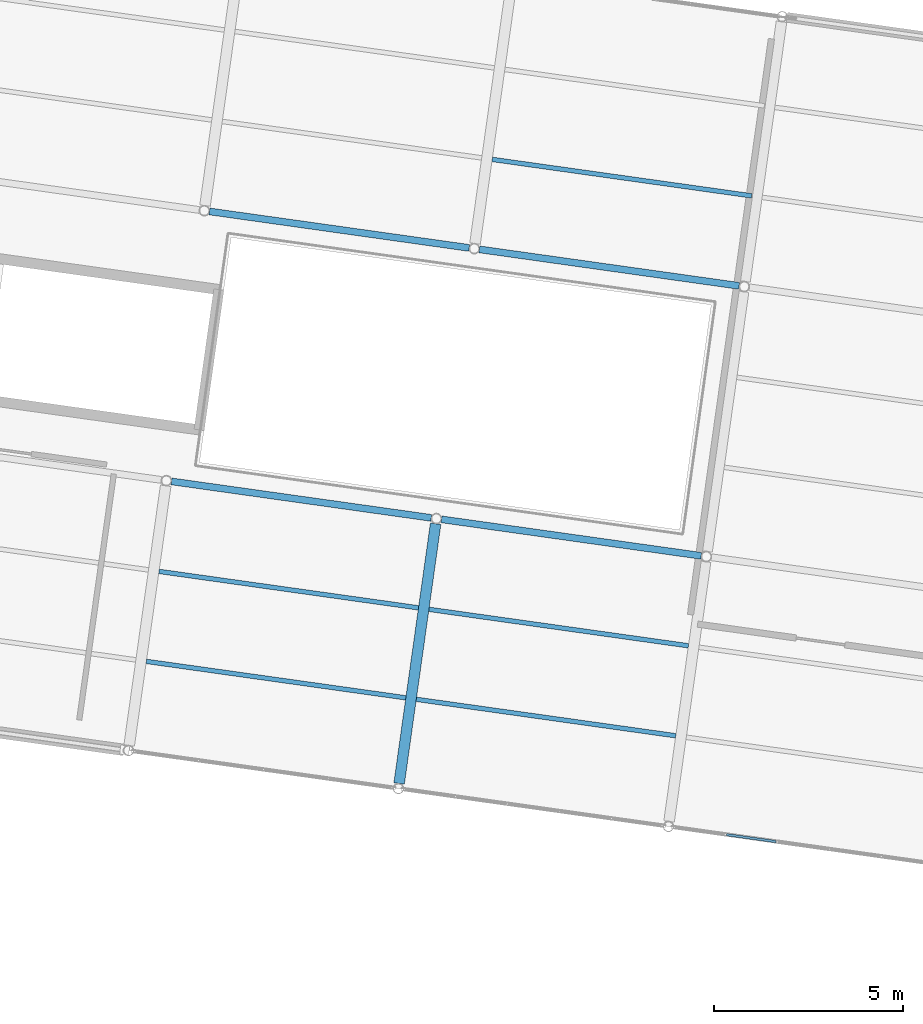
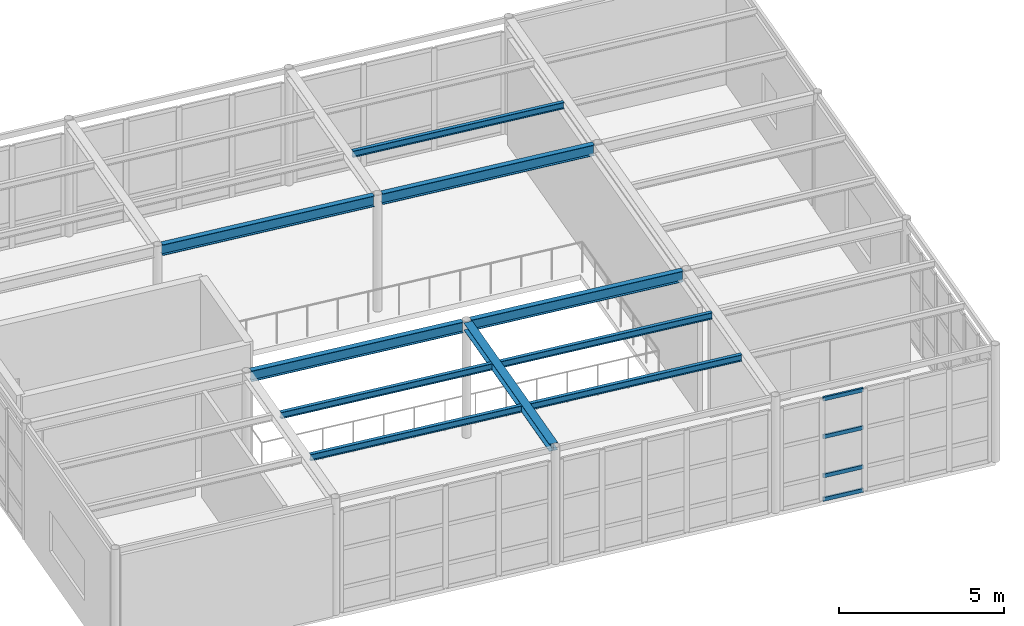
# One storey, part 22 of 67: 10 beams, 4 members, 1 element without a shape of its own.
"""IFC4 building model written with IfcOpenShell, lengths in metres."""

import ifcopenshell
import ifcopenshell.guid

model = None  # the IFC model being written
_history = None  # IfcOwnerHistory: only IFC2X3 demands one
_inside = {}  # id of a spatial element -> (the spatial element, [elements in it])
_under = {}  # id of a project, library or spatial element -> (it, [spatial elements below it])
_declared = {}  # id of a project -> (the project, [libraries it declares])
_typed = {}  # id of a type object -> (the type object, [elements of that type])
_made_of = {}  # id of a material, layer set ... -> (it, [elements and type objects made of it])


def new_model(schema):
    """Start an empty IFC model of exactly this schema.

    Asked for "IFC4X3", IfcOpenShell would pick the latest addendum, in which some entities
    have other attributes; the version numbers below select the first issue.
    IFC2X3 requires an IfcOwnerHistory on every rooted entity: one is made here for all.
    """
    global model, _history
    if schema == "IFC4X3":
        model = ifcopenshell.file(schema_version=(4, 3, 0, 0))
    else:
        model = ifcopenshell.file(schema=schema)
    _inside.clear()
    _under.clear()
    _declared.clear()
    _typed.clear()
    _made_of.clear()
    _history = None
    if model.schema == "IFC2X3":
        org = make("IfcOrganization", Name="unknown")
        user = make(
            "IfcPersonAndOrganization",
            ThePerson=make("IfcPerson", FamilyName="unknown"),
            TheOrganization=org,
        )
        app = make(
            "IfcApplication",
            ApplicationDeveloper=org,
            Version="unknown",
            ApplicationFullName="unknown",
            ApplicationIdentifier="unknown",
        )
        _history = make(
            "IfcOwnerHistory",
            OwningUser=user,
            OwningApplication=app,
            ChangeAction="ADDED",
            CreationDate=0,
        )
    return model


def make(cls, **values):
    """One entity of the class cls with the attributes given. An attribute that is None is left unset."""
    return model.create_entity(
        cls, **{name: value for name, value in values.items() if value is not None}
    )


def rooted(cls, **values):
    """An entity with a GlobalId (a new one), such as an element, a storey or a relation."""
    return make(cls, GlobalId=ifcopenshell.guid.new(), OwnerHistory=_history, **values)


def si_unit(unit_type, name, prefix=None):
    """IfcSIUnit, for example si_unit("LENGTHUNIT", "METRE", prefix="MILLI")."""
    return make("IfcSIUnit", UnitType=unit_type, Prefix=prefix, Name=name)


def assignment(units):
    """IfcUnitAssignment: the units of a project."""
    return None if units is None else make("IfcUnitAssignment", Units=units)


def point(xyz):
    """IfcCartesianPoint."""
    return None if xyz is None else make("IfcCartesianPoint", Coordinates=xyz)


def direction(xyz):
    """IfcDirection."""
    return None if xyz is None else make("IfcDirection", DirectionRatios=xyz)


def frame(location, z_axis=None, x_axis=None):
    """IfcAxis2Placement3D, a coordinate frame: its origin and axes. An axis left out is left unset."""
    return make(
        "IfcAxis2Placement3D",
        Location=point(location),
        Axis=direction(z_axis),
        RefDirection=direction(x_axis),
    )


def frame_2d(location, x_axis=None):
    """IfcAxis2Placement2D, a coordinate frame in the plane: its origin and x axis."""
    return make(
        "IfcAxis2Placement2D", Location=point(location), RefDirection=direction(x_axis)
    )


def origin():
    """The frame at (0, 0, 0) with its axes left unset."""
    return frame((0.0, 0.0, 0.0))


def origin_2d():
    """The frame at (0, 0) in the plane with its x axis left unset."""
    return frame_2d((0.0, 0.0))


def place(relative_to, where):
    """IfcLocalPlacement: puts the frame where relative to a parent placement (None: the world)."""
    return make(
        "IfcLocalPlacement", PlacementRelTo=relative_to, RelativePlacement=where
    )


def context(
    kind, dimensions, precision=None, world=None, true_north=None, identifier=None
):
    """IfcGeometricRepresentationContext, for example the 3D "Model" context."""
    return make(
        "IfcGeometricRepresentationContext",
        ContextIdentifier=identifier,
        ContextType=kind,
        CoordinateSpaceDimension=dimensions,
        Precision=precision,
        WorldCoordinateSystem=world,
        TrueNorth=true_north,
    )


def subcontext(parent, identifier, kind, view, scale=None):
    """IfcGeometricRepresentationSubContext, for example "Body" below "Model"."""
    return make(
        "IfcGeometricRepresentationSubContext",
        ContextIdentifier=identifier,
        ContextType=kind,
        ParentContext=parent,
        TargetScale=scale,
        TargetView=view,
    )


def project(units=None, contexts=None):
    """IfcProject with its units and contexts."""
    return rooted(
        "IfcProject",
        Name="project",
        RepresentationContexts=contexts,
        UnitsInContext=assignment(units),
    )


def spatial(cls, under=None, at=None, **own):
    """A site, building, storey or space (cls), placed at a placement, below another one or the project."""
    s = rooted(cls, ObjectPlacement=at, **own)
    if under is not None:
        _under.setdefault(under.id(), (under, []))[1].append(s)
    return s


def profile(cls, at=None, kind="AREA", **sizes):
    """A parametric profile (cls). Its sizes go by their IFC names, for example OverallWidth=200.0."""
    return make(cls, ProfileType=kind, Position=at, **sizes)


def hollow_rectangle(**sizes):
    """IfcRectangleHollowProfileDef."""
    return profile("IfcRectangleHollowProfileDef", **sizes)


def i_section(**sizes):
    """IfcIShapeProfileDef."""
    return profile("IfcIShapeProfileDef", **sizes)


def extrude(swept, where, along, depth):
    """IfcExtrudedAreaSolid: the profile swept, set in the frame where, extruded along a direction by depth."""
    return make(
        "IfcExtrudedAreaSolid",
        SweptArea=swept,
        Position=where,
        ExtrudedDirection=direction(along),
        Depth=depth,
    )


def shape(context_of_items, identifier, shape_type, items):
    """IfcShapeRepresentation: the items that make up one representation, for example the "Body"."""
    return make(
        "IfcShapeRepresentation",
        ContextOfItems=context_of_items,
        RepresentationIdentifier=identifier,
        RepresentationType=shape_type,
        Items=items,
    )


def material(Name=None, Category=None):
    """IfcMaterial."""
    return make("IfcMaterial", Name=Name, Category=Category)


def layer(
    of_material, thickness, ventilated=None, Name=None, Category=None, Priority=None
):
    """IfcMaterialLayer: one layer of a wall or slab, of a material (None: an air gap)."""
    return make(
        "IfcMaterialLayer",
        Material=of_material,
        LayerThickness=thickness,
        IsVentilated=ventilated,
        Name=Name,
        Category=Category,
        Priority=Priority,
    )


def layer_set(layers, Name=None):
    """IfcMaterialLayerSet."""
    return make("IfcMaterialLayerSet", MaterialLayers=layers, LayerSetName=Name)


def material_profile(
    of_material, cross_section, Name=None, Category=None, Priority=None
):
    """IfcMaterialProfile: a cross section and its material."""
    return make(
        "IfcMaterialProfile",
        Name=Name,
        Material=of_material,
        Profile=cross_section,
        Priority=Priority,
        Category=Category,
    )


def profile_set(profiles, Name=None, composite=None):
    """IfcMaterialProfileSet."""
    return make(
        "IfcMaterialProfileSet",
        Name=Name,
        MaterialProfiles=profiles,
        CompositeProfile=composite,
    )


def made_of(thing, what):
    """Note that an element or type object is made of a material, layer set ...; save() writes the relation."""
    if what is not None:
        _made_of.setdefault(what.id(), (what, []))[1].append(thing)
    return thing


def type_object(cls, material=None, **own):
    """A type object (cls), such as IfcWallType, which elements share."""
    return made_of(rooted(cls, **own), material)


def element(
    cls,
    number,
    at=None,
    inside=None,
    cuts=None,
    type_object=None,
    material=None,
    context=None,
    identifier="Body",
    shape_type=None,
    held_by="IfcProductDefinitionShape",
    body=None,
    shapes=None,
    **own,
):
    """One element of the class cls, such as IfcWall. Its Tag is "e" and its number.

    at: its placement. inside: the storey or other place that contains it. cuts: it is an
    opening in that element (IfcRelVoidsElement). A single representation is given by context,
    identifier, shape_type and body (its items); several are given by shapes. held_by: the class
    of the entity that holds the representations. save() writes the other relations.
    """
    e = rooted(cls, Tag="e%d" % number, ObjectPlacement=at, **own)
    if body is not None:
        shapes = [shape(context, identifier, shape_type, body)]
    if shapes is not None:
        e.Representation = make(held_by, Representations=shapes)
    if inside is not None:
        _inside.setdefault(inside.id(), (inside, []))[1].append(e)
    if cuts is not None:
        rooted(
            "IfcRelVoidsElement", RelatingBuildingElement=cuts, RelatedOpeningElement=e
        )
    if type_object is not None:
        _typed.setdefault(type_object.id(), (type_object, []))[1].append(e)
    return made_of(e, material)


def aggregate(whole, parts):
    """IfcRelAggregates: a whole, such as a stair, and the parts it consists of."""
    return rooted("IfcRelAggregates", RelatingObject=whole, RelatedObjects=parts)


def save(model, path):
    """Write the relations noted so far, then the file.

    IfcRelAggregates (storeys below a building ...), IfcRelContainedInSpatialStructure (elements
    in a storey), IfcRelDefinesByType, IfcRelAssociatesMaterial and IfcRelDeclares: one each for
    every whole, place, type object, material and project.
    """
    for whole, parts in _under.values():
        aggregate(whole, parts)
    for where, things in _inside.values():
        rooted(
            "IfcRelContainedInSpatialStructure",
            RelatedElements=things,
            RelatingStructure=where,
        )
    for kind, things in _typed.values():
        rooted("IfcRelDefinesByType", RelatedObjects=things, RelatingType=kind)
    for what, things in _made_of.values():
        rooted("IfcRelAssociatesMaterial", RelatedObjects=things, RelatingMaterial=what)
    for by, libraries in _declared.values():
        rooted("IfcRelDeclares", RelatingContext=by, RelatedDefinitions=libraries)
    model.write(path)


model = new_model("IFC4")

# Units and contexts
model_context = context("Model", 3, precision=1e-05, world=origin(), true_north=direction((0.0, 1.0)))
body_context = subcontext(model_context, "Body", "Model", "MODEL_VIEW")
ifc_project = project(units=[si_unit("LENGTHUNIT", "METRE"), si_unit("AREAUNIT", "SQUARE_METRE"), si_unit("VOLUMEUNIT", "CUBIC_METRE"), si_unit("PLANEANGLEUNIT", "RADIAN"), si_unit("MASSUNIT", "GRAM", prefix="KILO")], contexts=[model_context])

# Site, building, storey
site_placement = place(None, origin())
site = spatial("IfcSite", under=ifc_project, at=site_placement, CompositionType="ELEMENT")
building_placement = place(site_placement, origin())
building = spatial("IfcBuilding", under=site, at=building_placement, Name="Kharisveld Research Institute", CompositionType="ELEMENT")
storey_placement = place(building_placement, frame((0.0, 0.0, 9.60009765625)))
storey = spatial("IfcBuildingStorey", under=building, at=storey_placement, Name="L02", CompositionType="ELEMENT", Elevation=9.60009765625)

# Beams
ifc_material_1 = material(Name="Steel S355JR", Category="steel")
ifc_material_profile_1 = material_profile(ifc_material_1, i_section(OverallWidth=0.280029296875, OverallDepth=0.27001953125, WebThickness=0.008056640625, FlangeThickness=0.012939453125, at=origin_2d()))
ifc_profile_set_1 = profile_set([ifc_material_profile_1], Name="Steel S355JR")
beam_type_1 = type_object("IfcBeamType", Name="BM_ST_HEA280", PredefinedType="BEAM", material=ifc_profile_set_1)
beam_1_placement = place(storey_placement, frame((89.27880859375, 15.631103515625, 4.169921875), z_axis=(0.139180848611, 0.990266979849, 0.0), x_axis=(-0.990266979849, 0.139180848611, 0.0)))
element("IfcBeam", 1, at=beam_1_placement, inside=storey, type_object=beam_type_1, Name="BM:V4:L02:V2_0", PredefinedType="BEAM", context=body_context, shape_type="SweptSolid", body=[
    extrude(i_section(OverallWidth=0.280029296875, OverallDepth=0.27001953125, WebThickness=0.008056640625, FlangeThickness=0.012939453125, at=origin_2d()), origin(), (0.0, 0.0, 1.0), 6.927001953125),
])
ifc_material_2 = material(Name="Steel S355JR", Category="steel")
ifc_material_profile_2 = material_profile(ifc_material_2, i_section(OverallWidth=0.179931640625, OverallDepth=0.39990234375, WebThickness=0.008544921875, FlangeThickness=0.013427734375, at=origin_2d()))
ifc_profile_set_2 = profile_set([ifc_material_profile_2], Name="Steel S355JR")
beam_type_2 = type_object("IfcBeamType", Name="BM_ST_IPE400", PredefinedType="BEAM", material=ifc_profile_set_2)
for number, where, z_axis, x_axis, name in (
    (2, (83.26708984375, 23.60888671875, 4.10498046875), (0.990266979849, -0.139180848611, 0.0), (0.139180848611, 0.990266979849, 0.0), "BM:V4:L02:U1_1"),
    (3, (90.39697265625, 22.60693359375, 4.10498046875), (0.990266979849, -0.139180848611, 0.0), (0.139180848611, 0.990266979849, 0.0), "BM:V4:L02:U2_1"),
):
    element("IfcBeam", number, at=place(storey_placement, frame(where, z_axis=z_axis, x_axis=x_axis)), inside=storey, type_object=beam_type_2, Name=name, PredefinedType="BEAM", context=body_context, shape_type="SweptSolid", body=[
        extrude(i_section(OverallWidth=0.179931640625, OverallDepth=0.39990234375, WebThickness=0.008544921875, FlangeThickness=0.013427734375, at=origin_2d()), origin(), (0.0, 0.0, 1.0), 6.927001953125),
    ])
beam_2_placement = place(storey_placement, frame((84.269287109375, 30.73876953125, 4.10498046875), z_axis=(0.99026629708, -0.139185706405, 0.0), x_axis=(0.139185706405, 0.99026629708, 0.0)))
element("IfcBeam", 4, at=beam_2_placement, inside=storey, type_object=beam_type_2, Name="BM:V4:L02:U1_2", PredefinedType="BEAM", context=body_context, shape_type="SweptSolid", body=[
    extrude(i_section(OverallWidth=0.179931640625, OverallDepth=0.39990234375, WebThickness=0.008544921875, FlangeThickness=0.013427734375, at=origin_2d()), origin(), (0.0, 0.0, 1.0), 6.9267578125),
])
beam_3_placement = place(storey_placement, frame((91.399169921875, 29.73681640625, 4.10498046875), z_axis=(0.990266979849, -0.139180848611, 0.0), x_axis=(0.139180848611, 0.990266979849, 0.0)))
element("IfcBeam", 5, at=beam_3_placement, inside=storey, type_object=beam_type_2, Name="BM:V4:L02:U2_2", PredefinedType="BEAM", context=body_context, shape_type="SweptSolid", body=[
    extrude(i_section(OverallWidth=0.179931640625, OverallDepth=0.39990234375, WebThickness=0.008544921875, FlangeThickness=0.013427734375, at=origin_2d()), origin(), (0.0, 0.0, 1.0), 6.927001953125),
])

# Curtain wall, members
ifc_material_3 = material(Name="Thermally Broken Aluminium Curtain Wall", Category="aluminium")
ifc_layer = layer(ifc_material_3, 0.159912109375)
ifc_layer_set = layer_set([ifc_layer], Name="CW_SYS_02")
curtain_wall_type = type_object("IfcCurtainWallType", Name="CW_SYS_02", PredefinedType="NOTDEFINED", material=ifc_layer_set)
curtain_wall_placement = place(storey_placement, origin())
curtain_wall = element("IfcCurtainWall", 6, at=curtain_wall_placement, inside=storey, type_object=curtain_wall_type, Name="CW:V4:L02:S4", PredefinedType="NOTDEFINED")
ifc_material_4 = material(Name="Anodised Aluminium AW-6063-T6", Category="aluminium")
ifc_material_profile_3 = material_profile(ifc_material_4, hollow_rectangle(XDim=0.06494140625, YDim=0.139892578125, WallThickness=0.00390625, at=origin_2d()))
ifc_profile_set_3 = profile_set([ifc_material_profile_3], Name="Anodised Aluminium AW-6063-T6")
member_type = type_object("IfcMemberType", Name="CW_TRN_140", PredefinedType="USERDEFINED", material=ifc_profile_set_3)
member_1_placement = place(storey_placement, frame((99.233154296875, 14.09423828125, 0.032470703125), z_axis=(-0.990269351258, 0.139163975074, 0.0), x_axis=(-0.139163975074, -0.990269351258, 0.0)))
member_1 = element("IfcMember", 7, at=member_1_placement, type_object=member_type, Name="CW-02 transom 4.1", ObjectType="TRANSOM", PredefinedType="USERDEFINED", context=body_context, shape_type="SweptSolid", body=[
    extrude(hollow_rectangle(XDim=0.06494140625, YDim=0.139892578125, WallThickness=0.00390625, at=origin_2d()), origin(), (0.0, 0.0, 1.0), 1.317626953125),
])
member_2_placement = place(storey_placement, frame((99.233154296875, 14.09423828125, 0.89990234375), z_axis=(-0.990269351258, 0.139163975074, 0.0), x_axis=(-0.139163975074, -0.990269351258, 0.0)))
member_2 = element("IfcMember", 8, at=member_2_placement, type_object=member_type, Name="CW-02 transom 4.2", ObjectType="TRANSOM", PredefinedType="USERDEFINED", context=body_context, shape_type="SweptSolid", body=[
    extrude(hollow_rectangle(XDim=0.06494140625, YDim=0.139892578125, WallThickness=0.00390625, at=origin_2d()), origin(), (0.0, 0.0, 1.0), 1.317626953125),
])
member_3_placement = place(storey_placement, frame((99.233154296875, 14.09423828125, 2.349853515625), z_axis=(-0.990269351258, 0.139163975074, 0.0), x_axis=(-0.139163975074, -0.990269351258, 0.0)))
member_3 = element("IfcMember", 9, at=member_3_placement, type_object=member_type, Name="CW-02 transom 4.3", ObjectType="TRANSOM", PredefinedType="USERDEFINED", context=body_context, shape_type="SweptSolid", body=[
    extrude(hollow_rectangle(XDim=0.06494140625, YDim=0.139892578125, WallThickness=0.00390625, at=origin_2d()), origin(), (0.0, 0.0, 1.0), 1.317626953125),
])
member_4_placement = place(storey_placement, frame((99.233154296875, 14.09423828125, 3.747314453125), z_axis=(-0.990269351258, 0.139163975074, 0.0), x_axis=(-0.139163975074, -0.990269351258, 0.0)))
member_4 = element("IfcMember", 10, at=member_4_placement, type_object=member_type, Name="CW-02 transom 4.4", ObjectType="TRANSOM", PredefinedType="USERDEFINED", context=body_context, shape_type="SweptSolid", body=[
    extrude(hollow_rectangle(XDim=0.06494140625, YDim=0.139892578125, WallThickness=0.00390625, at=origin_2d()), origin(), (0.0, 0.0, 1.0), 1.317626953125),
])
aggregate(curtain_wall, [member_1, member_2, member_3, member_4])

# Beams
ifc_material_5 = material(Name="Steel S355JR", Category="steel")
ifc_material_profile_4 = material_profile(ifc_material_5, i_section(OverallWidth=0.1201171875, OverallDepth=0.239990234375, WebThickness=0.006103515625, FlangeThickness=0.009765625, at=origin_2d()))
ifc_profile_set_4 = profile_set([ifc_material_profile_4], Name="Steel S355JR")
beam_type_3 = type_object("IfcBeamType", Name="JS_ST_IPE240", PredefinedType="JOIST", material=ifc_profile_set_4)
for number, where, z_axis, x_axis, name in (
    (11, (82.6025390625, 18.855224609375, 4.184814453125), (0.990267294124, -0.139178612538, 0.0), (0.139178612538, 0.990267294124, 0.0), "BM:V4:L02:J_1_0_R1"),
    (12, (82.9365234375, 21.231689453125, 4.184814453125), (0.990272155941, -0.139144015926, 0.0), (0.139144015926, 0.990272155941, 0.0), "BM:V4:L02:J_1_0_R2"),
    (13, (89.732421875, 17.85302734375, 4.184814453125), (0.990267294124, -0.139178612538, 0.0), (0.139178612538, 0.990267294124, 0.0), "BM:V4:L02:J_2_0_R1"),
):
    element("IfcBeam", number, at=place(storey_placement, frame(where, z_axis=z_axis, x_axis=x_axis)), inside=storey, type_object=beam_type_3, Name=name, PredefinedType="JOIST", context=body_context, shape_type="SweptSolid", body=[
        extrude(i_section(OverallWidth=0.1201171875, OverallDepth=0.239990234375, WebThickness=0.006103515625, FlangeThickness=0.009765625, at=origin_2d()), origin(), (0.0, 0.0, 1.0), 6.920166015625),
    ])
beam_4_placement = place(storey_placement, frame((90.066650390625, 20.229736328125, 4.184814453125), z_axis=(0.990266610695, -0.139183475103, 0.0), x_axis=(0.139183475103, 0.990266610695, 0.0)))
element("IfcBeam", 14, at=beam_4_placement, inside=storey, type_object=beam_type_3, Name="BM:V4:L02:J_2_0_R2", PredefinedType="JOIST", context=body_context, shape_type="SweptSolid", body=[
    extrude(i_section(OverallWidth=0.1201171875, OverallDepth=0.239990234375, WebThickness=0.006103515625, FlangeThickness=0.009765625, at=origin_2d()), origin(), (0.0, 0.0, 1.0), 6.919921875),
])
beam_5_placement = place(storey_placement, frame((91.736572265625, 32.113037109375, 4.184814453125), z_axis=(0.990267294124, -0.139178612538, 0.0), x_axis=(0.139178612538, 0.990267294124, 0.0)))
element("IfcBeam", 15, at=beam_5_placement, inside=storey, type_object=beam_type_3, Name="BM:V4:L02:J_2_2_R1", PredefinedType="JOIST", context=body_context, shape_type="SweptSolid", body=[
    extrude(i_section(OverallWidth=0.1201171875, OverallDepth=0.239990234375, WebThickness=0.006103515625, FlangeThickness=0.009765625, at=origin_2d()), origin(), (0.0, 0.0, 1.0), 6.920166015625),
])

save(model, "model.ifc")
